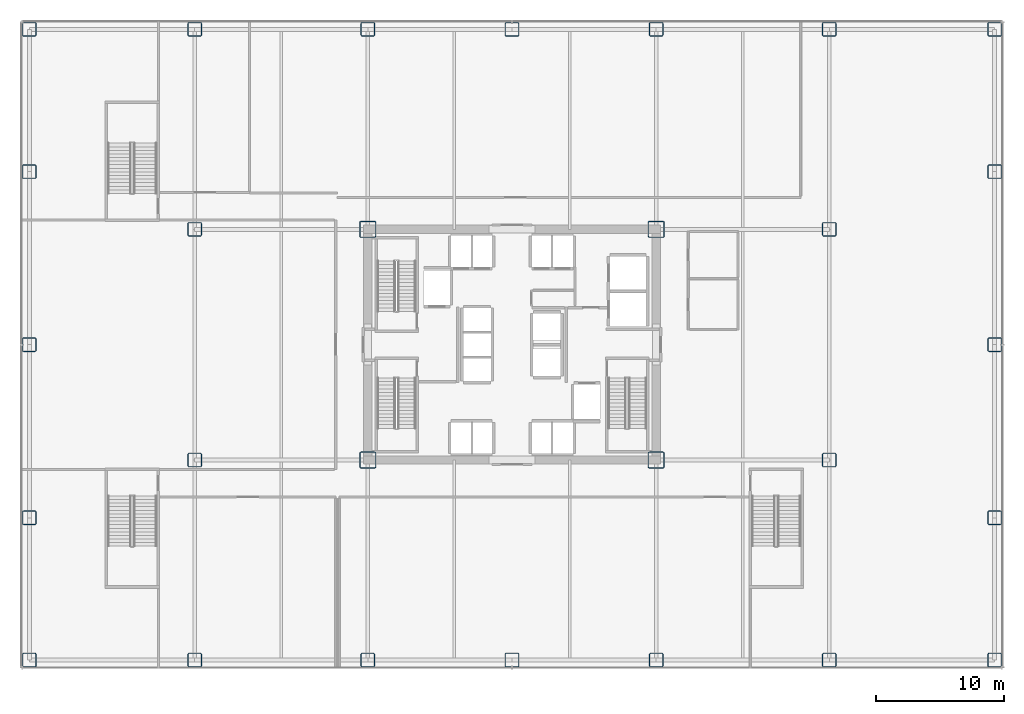
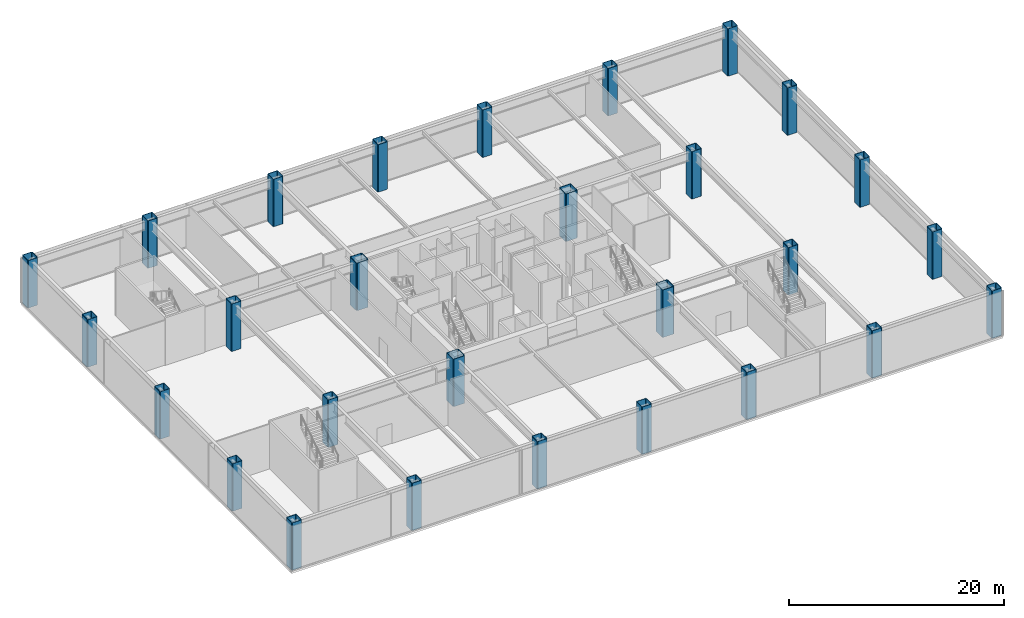
# One storey, part 1 of 24: 28 columns.
"""IFC4 building model written with IfcOpenShell, lengths in metres."""

from ifc_helpers import new_model, si_unit, direction, frame, origin, origin_2d, place, context, subcontext, project, spatial, hollow_rectangle, extrude, source, transform, mapped, material, material_profile, profile_set, type_object, element, save


model = new_model("IFC4")

# Units and contexts
model_context = context("Model", 3, precision=1e-05, world=origin(), true_north=direction((0.0, 1.0)))
body_context = subcontext(model_context, "Body", "Model", "MODEL_VIEW")
ifc_project = project(units=[si_unit("LENGTHUNIT", "METRE"), si_unit("AREAUNIT", "SQUARE_METRE"), si_unit("VOLUMEUNIT", "CUBIC_METRE"), si_unit("PLANEANGLEUNIT", "RADIAN"), si_unit("MASSUNIT", "GRAM", prefix="KILO")], contexts=[model_context])

# Site, building, storey
site_placement = place(None, origin())
site = spatial("IfcSite", under=ifc_project, at=site_placement, CompositionType="ELEMENT")
building_placement = place(site_placement, origin())
building = spatial("IfcBuilding", under=site, at=building_placement, Name="Nefas-Gora Pilgrimage Tower", CompositionType="ELEMENT")
storey_placement = place(building_placement, frame((0.0, 0.0, 6.0)))
storey = spatial("IfcBuildingStorey", under=building, at=storey_placement, Name="L01", CompositionType="ELEMENT", Elevation=6.0)

# Columns
ifc_material = material(Name="Steel S460", Category="steel")
ifc_material_profile_1 = material_profile(ifc_material, hollow_rectangle(XDim=1.10009765625, YDim=1.10009765625, WallThickness=0.054931640625, InnerFilletRadius=0.054931640625, OuterFilletRadius=0.110107421875, at=origin_2d()), Name="BOX 1100x1100x55")
ifc_profile_set_1 = profile_set([ifc_material_profile_1], Name="Steel S460")
column_type_1 = type_object("IfcColumnType", Name="COL-MEGA-1100E", PredefinedType="COLUMN", material=ifc_profile_set_1)
shared_shape_1 = source(origin(), body_context, "Body", "SweptSolid", [
    extrude(hollow_rectangle(XDim=1.10009765625, YDim=1.10009765625, WallThickness=0.054931640625, InnerFilletRadius=0.054931640625, OuterFilletRadius=0.110107421875, at=origin_2d()), origin(), (0.0, 0.0, 1.0), 5.39990234375),
])
for number, where, z_axis, x_axis, name in (
    (1, (-37.64990234375, -24.60009765625, 0.0), (0.0, 0.0, 1.0), (1.0, 0.0, 0.0), "L01 Mega-Column MC-02E.1"),
    (2, (-37.64990234375, -13.5, 0.0), (0.0, 0.0, 1.0), (1.0, 0.0, 0.0), "L01 Mega-Column MC-02E.2"),
    (3, (-37.64990234375, 0.0, 0.0), (0.0, 0.0, 1.0), (1.0, 0.0, 0.0), "L01 Mega-Column MC-02E.3"),
    (4, (-37.64990234375, 13.5, 0.0), (0.0, 0.0, 1.0), (1.0, 0.0, 0.0), "L01 Mega-Column MC-02E.4"),
    (5, (-37.64990234375, 24.60009765625, 0.0), (0.0, 0.0, 1.0), (1.0, 0.0, 0.0), "L01 Mega-Column MC-02E.5"),
    (6, (-24.75, -24.60009765625, 0.0), (0.0, 0.0, 1.0), (1.0, 0.0, 0.0), "L01 Mega-Column MC-02E.6"),
    (7, (-24.75, 24.60009765625, 0.0), (0.0, 0.0, 1.0), (1.0, 0.0, 0.0), "L01 Mega-Column MC-02E.9"),
    (8, (-11.25, -24.60009765625, 0.0), (0.0, 0.0, 1.0), (1.0, 0.0, 0.0), "L01 Mega-Column MC-02E.10"),
    (9, (-11.25, 24.60009765625, 0.0), (0.0, 0.0, 1.0), (1.0, 0.0, 0.0), "L01 Mega-Column MC-02E.13"),
    (10, (0.0, -24.60009765625, 0.0), (0.0, 0.0, 1.0), (1.0, 0.0, 0.0), "L01 Mega-Column MC-02E.14"),
    (11, (0.0, 24.60009765625, 0.0), (0.0, 0.0, 1.0), (1.0, 0.0, 0.0), "L01 Mega-Column MC-02E.15"),
    (12, (11.25, -24.60009765625, 0.0), (0.0, 0.0, 1.0), (1.0, 0.0, 0.0), "L01 Mega-Column MC-02E.16"),
    (13, (11.25, 24.60009765625, 0.0), (0.0, 0.0, 1.0), (1.0, 0.0, 0.0), "L01 Mega-Column MC-02E.19"),
    (14, (24.75, -24.60009765625, 0.0), (0.0, 0.0, 1.0), (1.0, 0.0, 0.0), "L01 Mega-Column MC-02E.20"),
    (15, (24.75, 24.60009765625, 0.0), (0.0, 0.0, 1.0), (1.0, 0.0, 0.0), "L01 Mega-Column MC-02E.23"),
    (16, (37.64990234375, -24.60009765625, 0.0), (0.0, 0.0, 1.0), (1.0, 0.0, 0.0), "L01 Mega-Column MC-02E.24"),
    (17, (37.64990234375, -13.5, 0.0), (0.0, 0.0, 1.0), (1.0, 0.0, 0.0), "L01 Mega-Column MC-02E.25"),
    (18, (37.64990234375, 0.0, 0.0), (0.0, 0.0, 1.0), (1.0, 0.0, 0.0), "L01 Mega-Column MC-02E.26"),
    (19, (37.64990234375, 13.5, 0.0), (0.0, 0.0, 1.0), (1.0, 0.0, 0.0), "L01 Mega-Column MC-02E.27"),
    (20, (37.64990234375, 24.60009765625, 0.0), (0.0, 0.0, 1.0), (1.0, 0.0, 0.0), "L01 Mega-Column MC-02E.28"),
):
    element("IfcColumn", number, at=place(storey_placement, frame(where, z_axis=z_axis, x_axis=x_axis)), inside=storey, type_object=column_type_1, Name=name, PredefinedType="COLUMN", context=body_context, shape_type="MappedRepresentation", body=[
        mapped(shared_shape_1, transform((0.0, 0.0, 0.0), x_axis=(1.0, 0.0, 0.0), y_axis=(0.0, 1.0, 0.0), z_axis=(0.0, 0.0, 1.0), scale=1.0)),
    ])
ifc_material_profile_2 = material_profile(ifc_material, hollow_rectangle(XDim=1.10009765625, YDim=1.10009765625, WallThickness=0.054931640625, InnerFilletRadius=0.054931640625, OuterFilletRadius=0.110107421875, at=origin_2d()), Name="BOX 1100x1100x55")
ifc_profile_set_2 = profile_set([ifc_material_profile_2], Name="Steel S460")
column_type_2 = type_object("IfcColumnType", Name="COL-MEGA-1100", PredefinedType="COLUMN", material=ifc_profile_set_2)
shared_shape_2 = source(origin(), body_context, "Body", "SweptSolid", [
    extrude(hollow_rectangle(XDim=1.10009765625, YDim=1.10009765625, WallThickness=0.054931640625, InnerFilletRadius=0.054931640625, OuterFilletRadius=0.110107421875, at=origin_2d()), origin(), (0.0, 0.0, 1.0), 5.39990234375),
])
for number, where, z_axis, x_axis, name in (
    (21, (-24.75, -9.0, 0.0), (0.0, 0.0, 1.0), (1.0, 0.0, 0.0), "L01 Mega-Column MC-02.7"),
    (22, (-24.75, 9.0, 0.0), (0.0, 0.0, 1.0), (1.0, 0.0, 0.0), "L01 Mega-Column MC-02.8"),
    (23, (24.75, -9.0, 0.0), (0.0, 0.0, 1.0), (1.0, 0.0, 0.0), "L01 Mega-Column MC-02.21"),
    (24, (24.75, 9.0, 0.0), (0.0, 0.0, 1.0), (1.0, 0.0, 0.0), "L01 Mega-Column MC-02.22"),
):
    element("IfcColumn", number, at=place(storey_placement, frame(where, z_axis=z_axis, x_axis=x_axis)), inside=storey, type_object=column_type_2, Name=name, PredefinedType="COLUMN", context=body_context, shape_type="MappedRepresentation", body=[
        mapped(shared_shape_2, transform((0.0, 0.0, 0.0), x_axis=(1.0, 0.0, 0.0), y_axis=(0.0, 1.0, 0.0), z_axis=(0.0, 0.0, 1.0), scale=1.0)),
    ])
ifc_material_profile_3 = material_profile(ifc_material, hollow_rectangle(XDim=1.300048828125, YDim=1.300048828125, WallThickness=0.06494140625, InnerFilletRadius=0.06494140625, OuterFilletRadius=0.1298828125, at=origin_2d()), Name="BOX 1300x1300x65")
ifc_profile_set_3 = profile_set([ifc_material_profile_3], Name="Steel S460")
column_type_3 = type_object("IfcColumnType", Name="COL-MEGA-1300", PredefinedType="COLUMN", material=ifc_profile_set_3)
shared_shape_3 = source(origin(), body_context, "Body", "SweptSolid", [
    extrude(hollow_rectangle(XDim=1.300048828125, YDim=1.300048828125, WallThickness=0.06494140625, InnerFilletRadius=0.06494140625, OuterFilletRadius=0.1298828125, at=origin_2d()), origin(), (0.0, 0.0, 1.0), 5.39990234375),
])
for number, where, z_axis, x_axis, name in (
    (25, (-11.25, -9.0, 0.0), (0.0, 0.0, 1.0), (1.0, 0.0, 0.0), "L01 Mega-Column MC-01.11"),
    (26, (-11.25, 9.0, 0.0), (0.0, 0.0, 1.0), (1.0, 0.0, 0.0), "L01 Mega-Column MC-01.12"),
    (27, (11.25, -9.0, 0.0), (0.0, 0.0, 1.0), (1.0, 0.0, 0.0), "L01 Mega-Column MC-01.17"),
    (28, (11.25, 9.0, 0.0), (0.0, 0.0, 1.0), (1.0, 0.0, 0.0), "L01 Mega-Column MC-01.18"),
):
    element("IfcColumn", number, at=place(storey_placement, frame(where, z_axis=z_axis, x_axis=x_axis)), inside=storey, type_object=column_type_3, Name=name, PredefinedType="COLUMN", context=body_context, shape_type="MappedRepresentation", body=[
        mapped(shared_shape_3, transform((0.0, 0.0, 0.0), x_axis=(1.0, 0.0, 0.0), y_axis=(0.0, 1.0, 0.0), z_axis=(0.0, 0.0, 1.0), scale=1.0)),
    ])

save(model, "model.ifc")
